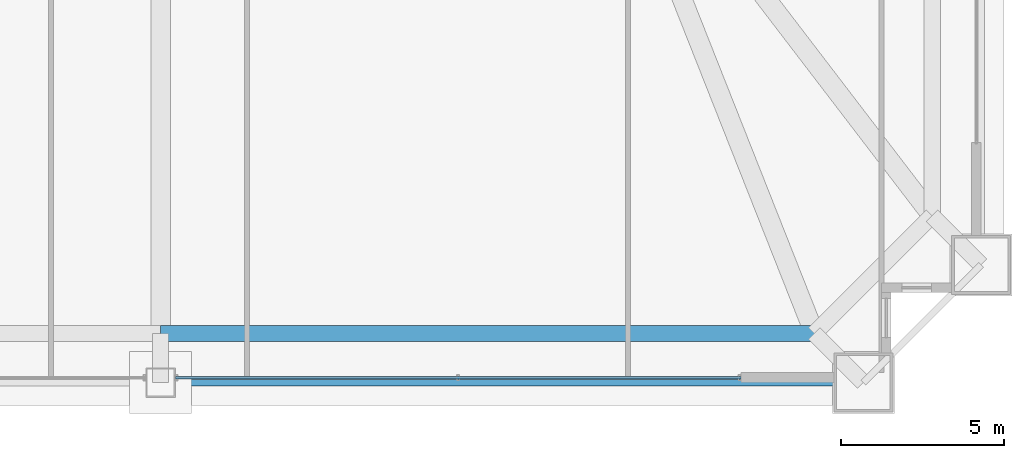
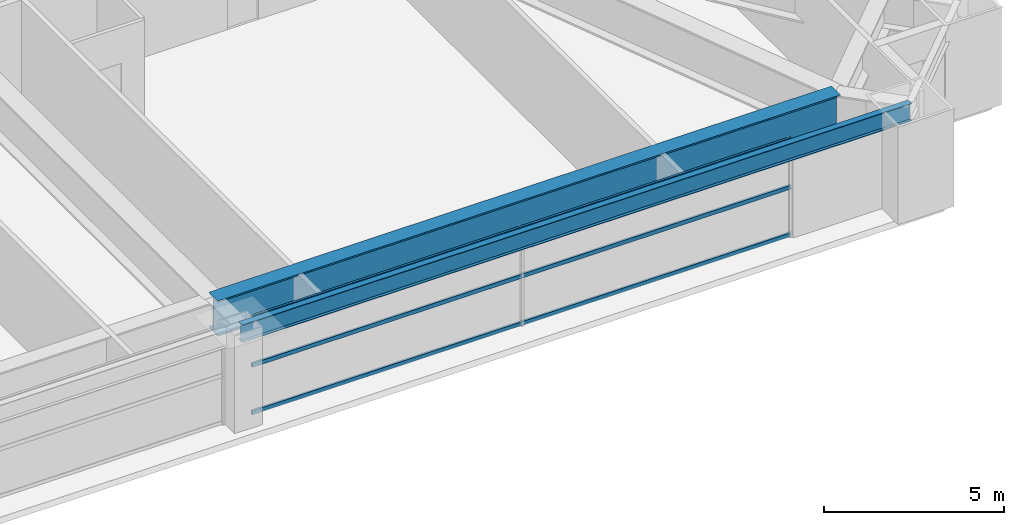
# One storey, part 14 of 44: 3 members, 2 beams, 1 element without a shape of its own.
"""IFC4 building model written with IfcOpenShell, lengths in metres."""

from ifc_helpers import new_model, si_unit, direction, frame, origin, origin_2d, place, context, subcontext, project, spatial, hollow_rectangle, i_section, extrude, source, transform, mapped, material, layer, layer_set, material_profile, profile_set, type_object, element, aggregate, save


model = new_model("IFC4")

# Units and contexts
model_context = context("Model", 3, precision=1e-05, world=origin(), true_north=direction((0.0, 1.0)))
body_context = subcontext(model_context, "Body", "Model", "MODEL_VIEW")
ifc_project = project(units=[si_unit("LENGTHUNIT", "METRE"), si_unit("AREAUNIT", "SQUARE_METRE"), si_unit("VOLUMEUNIT", "CUBIC_METRE"), si_unit("PLANEANGLEUNIT", "RADIAN"), si_unit("MASSUNIT", "GRAM", prefix="KILO"), si_unit("THERMODYNAMICTEMPERATUREUNIT", "KELVIN"), si_unit("POWERUNIT", "WATT")], contexts=[model_context])

# Site, building, storey
site_placement = place(None, origin())
site = spatial("IfcSite", under=ifc_project, at=site_placement, CompositionType="ELEMENT")
building_placement = place(site_placement, origin())
building = spatial("IfcBuilding", under=site, at=building_placement, Name="Yuzanri Waterfront Tower", CompositionType="ELEMENT")
storey_placement = place(building_placement, frame((0.0, 0.0, 82.0)))
storey = spatial("IfcBuildingStorey", under=building, at=storey_placement, Name="L21", CompositionType="ELEMENT", Elevation=82.0)

# Beams
ifc_material_1 = material(Name="Steel Q355B", Category="steel")
ifc_material_profile_1 = material_profile(ifc_material_1, i_section(OverallWidth=0.199951171875, OverallDepth=0.60009765625, WebThickness=0.010986328125, FlangeThickness=0.01708984375, at=origin_2d()), Name="HN 600x200x11x17")
ifc_profile_set_1 = profile_set([ifc_material_profile_1], Name="Steel Q355B")
beam_type_1 = type_object("IfcBeamType", Name="Perimeter Spandrel Q355B HN 600x200", PredefinedType="SPANDREL", material=ifc_profile_set_1)
shared_shape_1 = source(origin(), body_context, "Body", "SweptSolid", [
    extrude(i_section(OverallWidth=0.199951171875, OverallDepth=0.60009765625, WebThickness=0.010986328125, FlangeThickness=0.01708984375, at=origin_2d()), origin(), (0.0, 0.0, 1.0), 21.5),
])
beam_1_placement = place(storey_placement, frame((37.0, 0.699951171875, 3.02001953125), z_axis=(1.0, 0.0, 0.0), x_axis=(0.0, 1.0, 0.0)))
element("IfcBeam", 1, at=beam_1_placement, inside=storey, type_object=beam_type_1, Name="L21 Perimeter Spandrel S2-S3", PredefinedType="SPANDREL", context=body_context, shape_type="MappedRepresentation", body=[
    mapped(shared_shape_1, transform((0.0, 0.0, 0.0), scale=1.0)),
])
ifc_material_2 = material(Name="Steel Q420GJC", Category="steel")
ifc_material_profile_2 = material_profile(ifc_material_2, i_section(OverallWidth=0.5, OverallDepth=1.199951171875, WebThickness=0.028076171875, FlangeThickness=0.050048828125, at=origin_2d()), Name="PG 1200x500x28x50")
ifc_profile_set_2 = profile_set([ifc_material_profile_2], Name="Steel Q420GJC")
beam_type_2 = type_object("IfcBeamType", Name="Setback Transfer Girder Q420GJC PG 1200x500", PredefinedType="USERDEFINED", material=ifc_profile_set_2)
shared_shape_2 = source(origin(), body_context, "Body", "SweptSolid", [
    extrude(i_section(OverallWidth=0.5, OverallDepth=1.199951171875, WebThickness=0.028076171875, FlangeThickness=0.050048828125, at=origin_2d()), origin(), (0.0, 0.0, 1.0), 20.0),
])
beam_2_placement = place(storey_placement, frame((37.0, 2.199951171875, 2.719970703125), z_axis=(1.0, 0.0, 0.0), x_axis=(0.0, 1.0, 0.0)))
element("IfcBeam", 2, at=beam_2_placement, inside=storey, type_object=beam_type_2, Name="L21 Setback Upper Ring S2-S3", ObjectType="GIRDER", PredefinedType="USERDEFINED", context=body_context, shape_type="MappedRepresentation", body=[
    mapped(shared_shape_2, transform((0.0, 0.0, 0.0), scale=1.0)),
])

# Curtain wall, members
ifc_material_3 = material(Name="Anodized Architectural Bronze", Category="metal")
ifc_layer = layer(ifc_material_3, 0.159912109375)
ifc_layer_set = layer_set([ifc_layer], Name="Anodized Architectural Bronze")
curtain_wall_type = type_object("IfcCurtainWallType", Name="Anodized Bronze Hotel Lower-Tier Recessed Unitized Curtain Wall 8100", PredefinedType="NOTDEFINED", material=ifc_layer_set)
curtain_wall_placement = place(storey_placement, origin())
curtain_wall = element("IfcCurtainWall", 3, at=curtain_wall_placement, inside=storey, type_object=curtain_wall_type, Name="L21 Curtain Wall CW-L21-SR", PredefinedType="NOTDEFINED")
ifc_material_4 = material(Name="Anodized Architectural Bronze", Category="metal")
ifc_material_profile_3 = material_profile(ifc_material_4, hollow_rectangle(XDim=0.070068359375, YDim=0.135009765625, WallThickness=0.00341796875, at=origin_2d()), Name="CWT 70x135")
ifc_profile_set_3 = profile_set([ifc_material_profile_3], Name="Anodized Architectural Bronze")
member_type = type_object("IfcMemberType", Name="Anodized Bronze Standard Curtain-Wall Transom 70x135", PredefinedType="USERDEFINED", material=ifc_profile_set_3)
shared_shape_3 = source(origin(), body_context, "Body", "SweptSolid", [
    extrude(hollow_rectangle(XDim=0.070068359375, YDim=0.135009765625, WallThickness=0.00341796875, at=origin_2d()), origin(), (0.0, 0.0, 1.0), 17.300048828125),
])
member_1_placement = place(storey_placement, frame((37.449951171875, 0.85009765625, 0.050048828125), z_axis=(1.0, 0.0, 0.0), x_axis=(0.0, 1.0, 0.0)))
member_1 = element("IfcMember", 4, at=member_1_placement, type_object=member_type, Name="CW-L21-SR Transom 1", ObjectType="TRANSOM", PredefinedType="USERDEFINED", context=body_context, shape_type="MappedRepresentation", body=[
    mapped(shared_shape_3, transform((0.0, 0.0, 0.0), scale=1.0)),
])
member_2_placement = place(storey_placement, frame((37.449951171875, 0.85009765625, 1.659912109375), z_axis=(1.0, 0.0, 0.0), x_axis=(0.0, 1.0, 0.0)))
member_2 = element("IfcMember", 5, at=member_2_placement, type_object=member_type, Name="CW-L21-SR Transom 2", ObjectType="TRANSOM", PredefinedType="USERDEFINED", context=body_context, shape_type="MappedRepresentation", body=[
    mapped(shared_shape_3, transform((0.0, 0.0, 0.0), scale=1.0)),
])
member_3_placement = place(storey_placement, frame((37.449951171875, 0.85009765625, 3.27001953125), z_axis=(1.0, 0.0, 0.0), x_axis=(0.0, 1.0, 0.0)))
member_3 = element("IfcMember", 6, at=member_3_placement, type_object=member_type, Name="CW-L21-SR Transom 3", ObjectType="TRANSOM", PredefinedType="USERDEFINED", context=body_context, shape_type="MappedRepresentation", body=[
    mapped(shared_shape_3, transform((0.0, 0.0, 0.0), scale=1.0)),
])
aggregate(curtain_wall, [member_1, member_2, member_3])

save(model, "model.ifc")
